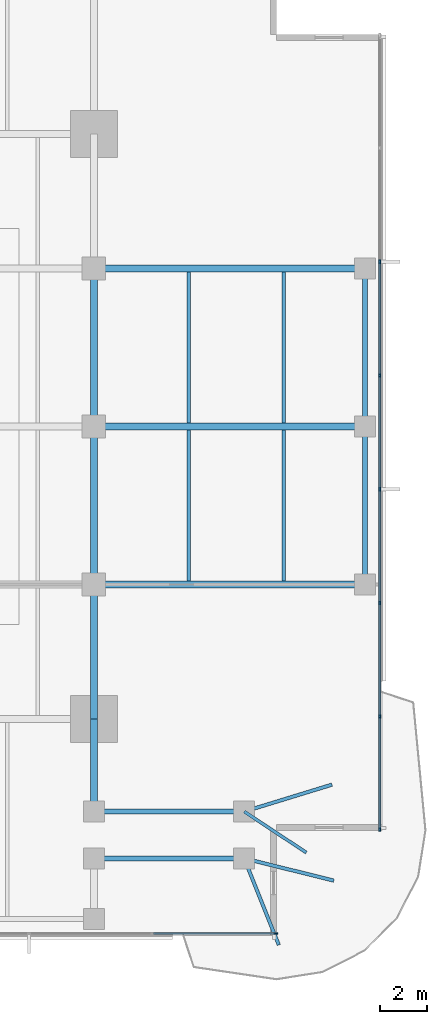
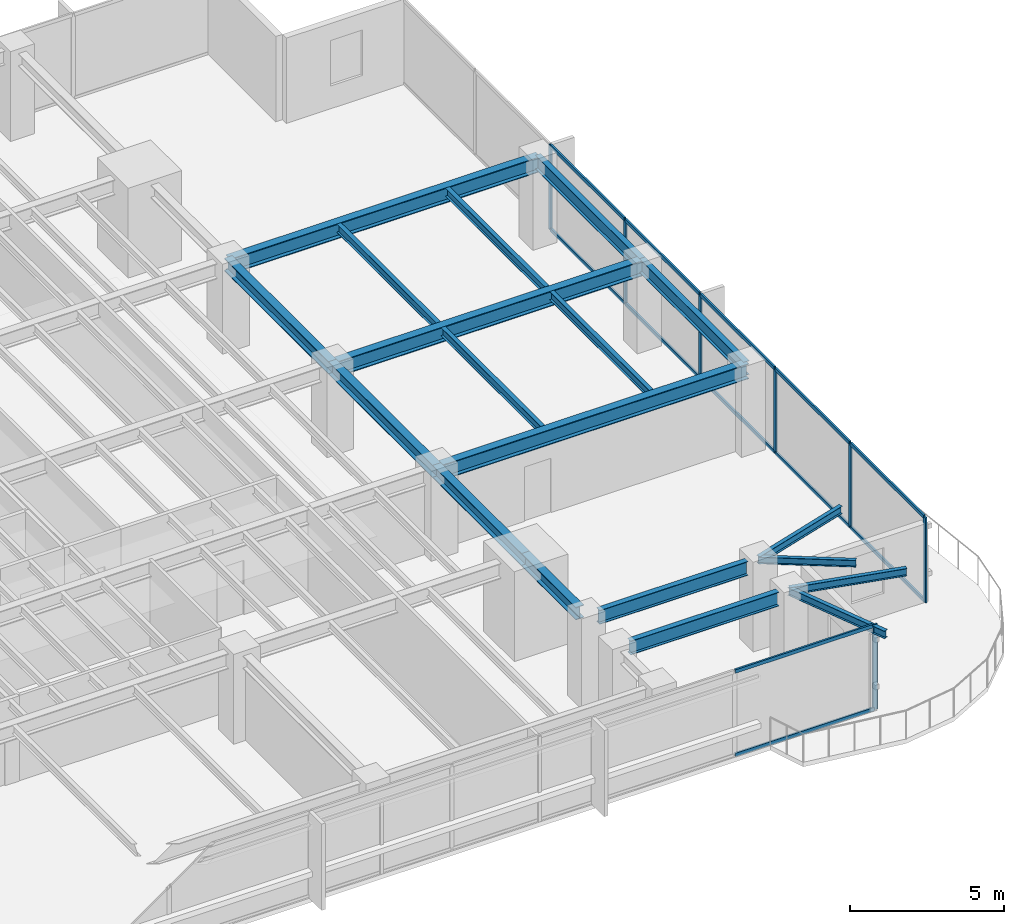
# One storey, part 4 of 14: 19 beams, 19 members, 2 elements without a shape of their own.
"""IFC4 building model written with IfcOpenShell, lengths in metres."""

from ifc_helpers import new_model, si_unit, direction, frame, origin, origin_2d, place, context, subcontext, project, spatial, rectangle, i_section, extrude, material, layer, layer_set, material_profile, profile_set, type_object, element, aggregate, save


model = new_model("IFC4")

# Units and contexts
model_context = context("Model", 3, precision=1e-05, world=origin(), true_north=direction((0.0, 1.0)))
body_context = subcontext(model_context, "Body", "Model", "MODEL_VIEW")
ifc_project = project(units=[si_unit("LENGTHUNIT", "METRE"), si_unit("AREAUNIT", "SQUARE_METRE"), si_unit("VOLUMEUNIT", "CUBIC_METRE"), si_unit("PLANEANGLEUNIT", "RADIAN"), si_unit("MASSUNIT", "GRAM", prefix="KILO")], contexts=[model_context])

# Site, building, storey
site_placement = place(None, origin())
site = spatial("IfcSite", under=ifc_project, at=site_placement, CompositionType="ELEMENT")
building_placement = place(site_placement, origin())
building = spatial("IfcBuilding", under=site, at=building_placement, Name="Kinhvarn Gate Tower", CompositionType="ELEMENT")
storey_placement = place(building_placement, frame((0.0, 0.0, 144.85009765625)))
storey = spatial("IfcBuildingStorey", under=building, at=storey_placement, Name="L38", CompositionType="ELEMENT", Elevation=144.85009765625)

# Curtain wall, member
ifc_material_1 = material(Name="Anodised aluminium AW-6063", Category="aluminium")
ifc_layer = layer(ifc_material_1, 0.179931640625)
ifc_layer_set = layer_set([ifc_layer], Name="Anodised aluminium AW-6063")
curtain_wall_type = type_object("IfcCurtainWallType", Name="CW-SYS-3", PredefinedType="NOTDEFINED", material=ifc_layer_set)
curtain_wall_1_placement = place(storey_placement, origin())
curtain_wall_1 = element("IfcCurtainWall", 1, at=curtain_wall_1_placement, inside=storey, type_object=curtain_wall_type, Name="Curtain Wall CW3 (L38)", PredefinedType="NOTDEFINED")
ifc_material_profile_1 = material_profile(ifc_material_1, rectangle(XDim=0.06494140625, YDim=0.159912109375, at=origin_2d()), Name="ALU 65x160")
ifc_profile_set_1 = profile_set([ifc_material_profile_1], Name="Anodised aluminium AW-6063")
member_type_1 = type_object("IfcMemberType", Name="CW-MUL-160", PredefinedType="MULLION", material=ifc_profile_set_1)
member_1_placement = place(storey_placement, frame((45.967529296875, 3.590087890625, 0.0), z_axis=(0.0, 0.0, 1.0), x_axis=(0.0, 1.0, 0.0)))
member_1 = element("IfcMember", 2, at=member_1_placement, type_object=member_type_1, Name="CW3 mullion 8", PredefinedType="MULLION", context=body_context, shape_type="SweptSolid", body=[
    extrude(rectangle(XDim=0.06494140625, YDim=0.159912109375, at=origin_2d()), origin(), (0.0, 0.0, 1.0), 3.369873046875),
])

# Curtain wall, members
curtain_wall_2_placement = place(storey_placement, origin())
curtain_wall_2 = element("IfcCurtainWall", 3, at=curtain_wall_2_placement, inside=storey, type_object=curtain_wall_type, Name="Curtain Wall CW3 (L38)", PredefinedType="NOTDEFINED")
member_2_placement = place(storey_placement, frame((50.409912109375, 8.032470703125, 0.0), z_axis=(0.0, 0.0, 1.0), x_axis=(-1.0, 0.0, 0.0)))
member_2 = element("IfcMember", 4, at=member_2_placement, type_object=member_type_1, Name="CW3 mullion 1", PredefinedType="MULLION", context=body_context, shape_type="SweptSolid", body=[
    extrude(rectangle(XDim=0.06494140625, YDim=0.159912109375, at=origin_2d()), origin(), (0.0, 0.0, 1.0), 3.369873046875),
])
member_3_placement = place(storey_placement, frame((50.409912109375, 12.857177734375, 0.0), z_axis=(0.0, 0.0, 1.0), x_axis=(-1.0, 0.0, 0.0)))
member_3 = element("IfcMember", 5, at=member_3_placement, type_object=member_type_1, Name="CW3 mullion 2", PredefinedType="MULLION", context=body_context, shape_type="SweptSolid", body=[
    extrude(rectangle(XDim=0.06494140625, YDim=0.159912109375, at=origin_2d()), origin(), (0.0, 0.0, 1.0), 3.369873046875),
])
member_4_placement = place(storey_placement, frame((50.409912109375, 17.71435546875, 0.0), z_axis=(0.0, 0.0, 1.0), x_axis=(-1.0, 0.0, 0.0)))
member_4 = element("IfcMember", 6, at=member_4_placement, type_object=member_type_1, Name="CW3 mullion 3", PredefinedType="MULLION", context=body_context, shape_type="SweptSolid", body=[
    extrude(rectangle(XDim=0.06494140625, YDim=0.159912109375, at=origin_2d()), origin(), (0.0, 0.0, 1.0), 3.369873046875),
])
member_5_placement = place(storey_placement, frame((50.409912109375, 22.571533203125, 0.0), z_axis=(0.0, 0.0, 1.0), x_axis=(-1.0, 0.0, 0.0)))
member_5 = element("IfcMember", 7, at=member_5_placement, type_object=member_type_1, Name="CW3 mullion 4", PredefinedType="MULLION", context=body_context, shape_type="SweptSolid", body=[
    extrude(rectangle(XDim=0.06494140625, YDim=0.159912109375, at=origin_2d()), origin(), (0.0, 0.0, 1.0), 3.369873046875),
])
member_6_placement = place(storey_placement, frame((50.409912109375, 27.428466796875, 0.0), z_axis=(0.0, 0.0, 1.0), x_axis=(-1.0, 0.0, 0.0)))
member_6 = element("IfcMember", 8, at=member_6_placement, type_object=member_type_1, Name="CW3 mullion 5", PredefinedType="MULLION", context=body_context, shape_type="SweptSolid", body=[
    extrude(rectangle(XDim=0.06494140625, YDim=0.159912109375, at=origin_2d()), origin(), (0.0, 0.0, 1.0), 3.369873046875),
])
member_7_placement = place(storey_placement, frame((50.409912109375, 32.28564453125, 0.0), z_axis=(0.0, 0.0, 1.0), x_axis=(-1.0, 0.0, 0.0)))
member_7 = element("IfcMember", 9, at=member_7_placement, type_object=member_type_1, Name="CW3 mullion 6", PredefinedType="MULLION", context=body_context, shape_type="SweptSolid", body=[
    extrude(rectangle(XDim=0.06494140625, YDim=0.159912109375, at=origin_2d()), origin(), (0.0, 0.0, 1.0), 3.369873046875),
])

# Member
ifc_material_profile_2 = material_profile(ifc_material_1, rectangle(XDim=0.070068359375, YDim=0.139892578125, at=origin_2d()), Name="ALU 70x140")
ifc_profile_set_2 = profile_set([ifc_material_profile_2], Name="Anodised aluminium AW-6063")
member_type_2 = type_object("IfcMemberType", Name="CW-TRN-140", PredefinedType="USERDEFINED", material=ifc_profile_set_2)
member_8_placement = place(storey_placement, frame((40.746826171875, 3.590087890625, 0.034912109375), z_axis=(1.0, 0.0, 0.0), x_axis=(0.0, 1.0, 0.0)))
member_8 = element("IfcMember", 10, at=member_8_placement, type_object=member_type_2, Name="CW3 transom 7.1", ObjectType="TRANSOM", PredefinedType="USERDEFINED", context=body_context, shape_type="SweptSolid", body=[
    extrude(rectangle(XDim=0.070068359375, YDim=0.139892578125, at=origin_2d()), origin(), (0.0, 0.0, 1.0), 5.188232421875),
])

member_9_placement = place(storey_placement, frame((40.746826171875, 3.590087890625, 3.3349609375), z_axis=(1.0, 0.0, 0.0), x_axis=(0.0, 1.0, 0.0)))
member_9 = element("IfcMember", 11, at=member_9_placement, type_object=member_type_2, Name="CW3 transom 7.2", ObjectType="TRANSOM", PredefinedType="USERDEFINED", context=body_context, shape_type="SweptSolid", body=[
    extrude(rectangle(XDim=0.070068359375, YDim=0.139892578125, at=origin_2d()), origin(), (0.0, 0.0, 1.0), 5.188232421875),
])

aggregate(curtain_wall_1, [member_1, member_8, member_9])

member_10_placement = place(storey_placement, frame((50.409912109375, 8.06494140625, 0.034912109375), z_axis=(0.0, 1.0, 0.0), x_axis=(-1.0, 0.0, 0.0)))
member_10 = element("IfcMember", 12, at=member_10_placement, type_object=member_type_2, Name="CW3 transom 1.1", ObjectType="TRANSOM", PredefinedType="USERDEFINED", context=body_context, shape_type="SweptSolid", body=[
    extrude(rectangle(XDim=0.070068359375, YDim=0.139892578125, at=origin_2d()), origin(), (0.0, 0.0, 1.0), 4.759765625),
])

member_11_placement = place(storey_placement, frame((50.409912109375, 8.06494140625, 3.3349609375), z_axis=(0.0, 1.0, 0.0), x_axis=(-1.0, 0.0, 0.0)))
member_11 = element("IfcMember", 13, at=member_11_placement, type_object=member_type_2, Name="CW3 transom 1.2", ObjectType="TRANSOM", PredefinedType="USERDEFINED", context=body_context, shape_type="SweptSolid", body=[
    extrude(rectangle(XDim=0.070068359375, YDim=0.139892578125, at=origin_2d()), origin(), (0.0, 0.0, 1.0), 4.759765625),
])

member_12_placement = place(storey_placement, frame((50.409912109375, 12.8896484375, 0.034912109375), z_axis=(0.0, 1.0, 0.0), x_axis=(-1.0, 0.0, 0.0)))
member_12 = element("IfcMember", 14, at=member_12_placement, type_object=member_type_2, Name="CW3 transom 2.1", ObjectType="TRANSOM", PredefinedType="USERDEFINED", context=body_context, shape_type="SweptSolid", body=[
    extrude(rectangle(XDim=0.070068359375, YDim=0.139892578125, at=origin_2d()), origin(), (0.0, 0.0, 1.0), 4.792236328125),
])

member_13_placement = place(storey_placement, frame((50.409912109375, 12.8896484375, 3.3349609375), z_axis=(0.0, 1.0, 0.0), x_axis=(-1.0, 0.0, 0.0)))
member_13 = element("IfcMember", 15, at=member_13_placement, type_object=member_type_2, Name="CW3 transom 2.2", ObjectType="TRANSOM", PredefinedType="USERDEFINED", context=body_context, shape_type="SweptSolid", body=[
    extrude(rectangle(XDim=0.070068359375, YDim=0.139892578125, at=origin_2d()), origin(), (0.0, 0.0, 1.0), 4.792236328125),
])

member_14_placement = place(storey_placement, frame((50.409912109375, 17.746826171875, 0.034912109375), z_axis=(0.0, 1.0, 0.0), x_axis=(-1.0, 0.0, 0.0)))
member_14 = element("IfcMember", 16, at=member_14_placement, type_object=member_type_2, Name="CW3 transom 3.1", ObjectType="TRANSOM", PredefinedType="USERDEFINED", context=body_context, shape_type="SweptSolid", body=[
    extrude(rectangle(XDim=0.070068359375, YDim=0.139892578125, at=origin_2d()), origin(), (0.0, 0.0, 1.0), 4.7919921875),
])

member_15_placement = place(storey_placement, frame((50.409912109375, 17.746826171875, 3.3349609375), z_axis=(0.0, 1.0, 0.0), x_axis=(-1.0, 0.0, 0.0)))
member_15 = element("IfcMember", 17, at=member_15_placement, type_object=member_type_2, Name="CW3 transom 3.2", ObjectType="TRANSOM", PredefinedType="USERDEFINED", context=body_context, shape_type="SweptSolid", body=[
    extrude(rectangle(XDim=0.070068359375, YDim=0.139892578125, at=origin_2d()), origin(), (0.0, 0.0, 1.0), 4.7919921875),
])

member_16_placement = place(storey_placement, frame((50.409912109375, 22.60400390625, 0.034912109375), z_axis=(0.0, 1.0, 0.0), x_axis=(-1.0, 0.0, 0.0)))
member_16 = element("IfcMember", 18, at=member_16_placement, type_object=member_type_2, Name="CW3 transom 4.1", ObjectType="TRANSOM", PredefinedType="USERDEFINED", context=body_context, shape_type="SweptSolid", body=[
    extrude(rectangle(XDim=0.070068359375, YDim=0.139892578125, at=origin_2d()), origin(), (0.0, 0.0, 1.0), 4.7919921875),
])

member_17_placement = place(storey_placement, frame((50.409912109375, 22.60400390625, 3.3349609375), z_axis=(0.0, 1.0, 0.0), x_axis=(-1.0, 0.0, 0.0)))
member_17 = element("IfcMember", 19, at=member_17_placement, type_object=member_type_2, Name="CW3 transom 4.2", ObjectType="TRANSOM", PredefinedType="USERDEFINED", context=body_context, shape_type="SweptSolid", body=[
    extrude(rectangle(XDim=0.070068359375, YDim=0.139892578125, at=origin_2d()), origin(), (0.0, 0.0, 1.0), 4.7919921875),
])

member_18_placement = place(storey_placement, frame((50.409912109375, 27.461181640625, 0.034912109375), z_axis=(0.0, 1.0, 0.0), x_axis=(-1.0, 0.0, 0.0)))
member_18 = element("IfcMember", 20, at=member_18_placement, type_object=member_type_2, Name="CW3 transom 5.1", ObjectType="TRANSOM", PredefinedType="USERDEFINED", context=body_context, shape_type="SweptSolid", body=[
    extrude(rectangle(XDim=0.070068359375, YDim=0.139892578125, at=origin_2d()), origin(), (0.0, 0.0, 1.0), 4.7919921875),
])

member_19_placement = place(storey_placement, frame((50.409912109375, 27.461181640625, 3.3349609375), z_axis=(0.0, 1.0, 0.0), x_axis=(-1.0, 0.0, 0.0)))
member_19 = element("IfcMember", 21, at=member_19_placement, type_object=member_type_2, Name="CW3 transom 5.2", ObjectType="TRANSOM", PredefinedType="USERDEFINED", context=body_context, shape_type="SweptSolid", body=[
    extrude(rectangle(XDim=0.070068359375, YDim=0.139892578125, at=origin_2d()), origin(), (0.0, 0.0, 1.0), 4.7919921875),
])

aggregate(curtain_wall_2, [member_2, member_3, member_4, member_5, member_6, member_7, member_10, member_11, member_12, member_13, member_14, member_15, member_16, member_17, member_18, member_19])

# Beams
ifc_material_2 = material(Name="Steel S355", Category="steel")
ifc_material_profile_3 = material_profile(ifc_material_2, i_section(OverallWidth=0.300048828125, OverallDepth=0.5, WebThickness=0.014404296875, FlangeThickness=0.028076171875, at=origin_2d()), Name="HEB 500")
ifc_profile_set_3 = profile_set([ifc_material_profile_3], Name="Steel S355")
beam_type_1 = type_object("IfcBeamType", Name="STL-HEB500", PredefinedType="BEAM", material=ifc_profile_set_3)
beam_1_placement = place(storey_placement, frame((38.199951171875, 9.235107421875, 3.119873046875), z_axis=(0.0, 1.0, 0.0), x_axis=(-1.0, 0.0, 0.0)))
element("IfcBeam", 22, at=beam_1_placement, inside=storey, type_object=beam_type_1, Name="Floor Beam PG-14 (L38 MCE-S-A2)", PredefinedType="BEAM", context=body_context, shape_type="SweptSolid", body=[
    extrude(i_section(OverallWidth=0.300048828125, OverallDepth=0.5, WebThickness=0.014404296875, FlangeThickness=0.028076171875, at=origin_2d()), origin(), (0.0, 0.0, 1.0), 3.514892578125),
])
beam_2_placement = place(storey_placement, frame((38.199951171875, 12.75, 3.119873046875), z_axis=(0.0, 1.0, 0.0), x_axis=(-1.0, 0.0, 0.0)))
element("IfcBeam", 23, at=beam_2_placement, inside=storey, type_object=beam_type_1, Name="Floor Beam PG-14 (L38 MG-E-12)", PredefinedType="BEAM", context=body_context, shape_type="SweptSolid", body=[
    extrude(i_section(OverallWidth=0.300048828125, OverallDepth=0.5, WebThickness=0.014404296875, FlangeThickness=0.028076171875, at=origin_2d()), origin(), (0.0, 0.0, 1.0), 5.75),
])
for number, where, z_axis, x_axis, name in (
    (24, (38.199951171875, 18.5, 3.119873046875), (0.0, 1.0, 0.0), (-1.0, 0.0, 0.0), "Floor Beam PG-14 (L38 MG-E-18)"),
    (25, (38.199951171875, 25.25, 3.119873046875), (0.0, 1.0, 0.0), (-1.0, 0.0, 0.0), "Floor Beam PG-14 (L38 MG-E-25)"),
):
    element("IfcBeam", number, at=place(storey_placement, frame(where, z_axis=z_axis, x_axis=x_axis)), inside=storey, type_object=beam_type_1, Name=name, PredefinedType="BEAM", context=body_context, shape_type="SweptSolid", body=[
        extrude(i_section(OverallWidth=0.300048828125, OverallDepth=0.5, WebThickness=0.014404296875, FlangeThickness=0.028076171875, at=origin_2d()), origin(), (0.0, 0.0, 1.0), 6.75),
    ])
ifc_material_profile_4 = material_profile(ifc_material_2, i_section(OverallWidth=0.300048828125, OverallDepth=0.60009765625, WebThickness=0.015380859375, FlangeThickness=0.030029296875, at=origin_2d()), Name="HEB 600")
ifc_profile_set_4 = profile_set([ifc_material_profile_4], Name="Steel S355")
beam_type_2 = type_object("IfcBeamType", Name="STL-HEB600", PredefinedType="BEAM", material=ifc_profile_set_4)
for number, where, z_axis, x_axis, name in (
    (26, (38.199951171875, 18.5, 3.06982421875), (1.0, 0.0, 0.0), (0.0, 1.0, 0.0), "Floor Beam PG-16 (L38 EW2-Y18)"),
    (27, (38.199951171875, 25.25, 3.06982421875), (1.0, 0.0, 0.0), (0.0, 1.0, 0.0), "Floor Beam PG-16 (L38 EW2-Y25)"),
    (28, (38.199951171875, 32.0, 3.06982421875), (1.0, 0.0, 0.0), (0.0, 1.0, 0.0), "Floor Beam PG-16 (L38 EW2-Y32)"),
):
    element("IfcBeam", number, at=place(storey_placement, frame(where, z_axis=z_axis, x_axis=x_axis)), inside=storey, type_object=beam_type_2, Name=name, PredefinedType="BEAM", context=body_context, shape_type="SweptSolid", body=[
        extrude(i_section(OverallWidth=0.300048828125, OverallDepth=0.60009765625, WebThickness=0.015380859375, FlangeThickness=0.030029296875, at=origin_2d()), origin(), (0.0, 0.0, 1.0), 11.580078125),
    ])
ifc_material_profile_5 = material_profile(ifc_material_2, i_section(OverallWidth=0.135009765625, OverallDepth=0.27001953125, WebThickness=0.006591796875, FlangeThickness=0.01025390625, at=origin_2d()), Name="IPE 270")
ifc_profile_set_5 = profile_set([ifc_material_profile_5], Name="Steel S355")
beam_type_3 = type_object("IfcBeamType", Name="STL-IPE270", PredefinedType="JOIST", material=ifc_profile_set_5)
beam_3_placement = place(storey_placement, frame((44.6201171875, 8.800048828125, 3.23486328125), z_axis=(0.834455271211, -0.5510756757, 0.0), x_axis=(0.5510756757, 0.834455271211, 0.0)))
element("IfcBeam", 29, at=beam_3_placement, inside=storey, type_object=beam_type_3, Name="Floor Joist SB-01 (L38 BAL-B3-L39)", PredefinedType="JOIST", context=body_context, shape_type="SweptSolid", body=[
    extrude(i_section(OverallWidth=0.135009765625, OverallDepth=0.27001953125, WebThickness=0.006591796875, FlangeThickness=0.01025390625, at=origin_2d()), origin(), (0.0, 0.0, 1.0), 3.175537109375),
])
ifc_material_profile_6 = material_profile(ifc_material_2, i_section(OverallWidth=0.14990234375, OverallDepth=0.300048828125, WebThickness=0.007080078125, FlangeThickness=0.0107421875, at=origin_2d()), Name="IPE 300")
ifc_profile_set_6 = profile_set([ifc_material_profile_6], Name="Steel S355")
beam_type_4 = type_object("IfcBeamType", Name="STL-IPE300", PredefinedType="JOIST", material=ifc_profile_set_6)
beam_4_placement = place(storey_placement, frame((44.6201171875, 6.800048828125, 3.219970703125), z_axis=(0.97058851083, -0.240744558911, 0.0), x_axis=(0.240744558911, 0.97058851083, 0.0)))
element("IfcBeam", 30, at=beam_4_placement, inside=storey, type_object=beam_type_4, Name="Floor Joist SB-02 (L38 BAL-B1-L39)", PredefinedType="JOIST", context=body_context, shape_type="SweptSolid", body=[
    extrude(i_section(OverallWidth=0.14990234375, OverallDepth=0.300048828125, WebThickness=0.007080078125, FlangeThickness=0.0107421875, at=origin_2d()), origin(), (0.0, 0.0, 1.0), 3.94580078125),
])
beam_5_placement = place(storey_placement, frame((44.6201171875, 6.800048828125, 3.219970703125), z_axis=(0.371390676354, -0.928476690885, 0.0), x_axis=(0.928476690885, 0.371390676354, 0.0)))
element("IfcBeam", 31, at=beam_5_placement, inside=storey, type_object=beam_type_4, Name="Floor Joist SB-02 (L38 BAL-B2-L39)", PredefinedType="JOIST", context=body_context, shape_type="SweptSolid", body=[
    extrude(i_section(OverallWidth=0.14990234375, OverallDepth=0.300048828125, WebThickness=0.007080078125, FlangeThickness=0.0107421875, at=origin_2d()), origin(), (0.0, 0.0, 1.0), 3.98486328125),
])
beam_6_placement = place(storey_placement, frame((44.6201171875, 8.800048828125, 3.219970703125), z_axis=(0.95606118681, 0.293167199862, 0.0), x_axis=(-0.293167199862, 0.95606118681, 0.0)))
element("IfcBeam", 32, at=beam_6_placement, inside=storey, type_object=beam_type_4, Name="Floor Joist SB-02 (L38 BAL-B5-L39)", PredefinedType="JOIST", context=body_context, shape_type="SweptSolid", body=[
    extrude(i_section(OverallWidth=0.14990234375, OverallDepth=0.300048828125, WebThickness=0.007080078125, FlangeThickness=0.0107421875, at=origin_2d()), origin(), (0.0, 0.0, 1.0), 3.92236328125),
])
ifc_material_profile_7 = material_profile(ifc_material_2, i_section(OverallWidth=0.159912109375, OverallDepth=0.330078125, WebThickness=0.007568359375, FlangeThickness=0.011474609375, at=origin_2d()), Name="IPE 330")
ifc_profile_set_7 = profile_set([ifc_material_profile_7], Name="Steel S355")
beam_type_5 = type_object("IfcBeamType", Name="STL-IPE330", PredefinedType="JOIST", material=ifc_profile_set_7)
for number, where, z_axis, x_axis, name in (
    (33, (42.25, 18.64990234375, 3.204833984375), (0.0, 1.0, 0.0), (-1.0, 0.0, 0.0), "Floor Joist SB-03 (L38 JC-X422-1)"),
    (34, (42.25, 25.39990234375, 3.204833984375), (0.0, 1.0, 0.0), (-1.0, 0.0, 0.0), "Floor Joist SB-03 (L38 JC-X422-2)"),
    (35, (46.31005859375, 18.64990234375, 3.204833984375), (0.0, 1.0, 0.0), (-1.0, 0.0, 0.0), "Floor Joist SB-03 (L38 JC-X463-1)"),
    (36, (46.31005859375, 25.39990234375, 3.204833984375), (0.0, 1.0, 0.0), (-1.0, 0.0, 0.0), "Floor Joist SB-03 (L38 JC-X463-2)"),
):
    element("IfcBeam", number, at=place(storey_placement, frame(where, z_axis=z_axis, x_axis=x_axis)), inside=storey, type_object=beam_type_5, Name=name, PredefinedType="JOIST", context=body_context, shape_type="SweptSolid", body=[
        extrude(i_section(OverallWidth=0.159912109375, OverallDepth=0.330078125, WebThickness=0.007568359375, FlangeThickness=0.011474609375, at=origin_2d()), origin(), (0.0, 0.0, 1.0), 6.4501953125),
    ])
ifc_material_profile_8 = material_profile(ifc_material_2, i_section(OverallWidth=0.2099609375, OverallDepth=0.550048828125, WebThickness=0.010986328125, FlangeThickness=0.01708984375, at=origin_2d()), Name="IPE 550")
ifc_profile_set_8 = profile_set([ifc_material_profile_8], Name="Steel S355")
beam_type_6 = type_object("IfcBeamType", Name="STL-IPE550", PredefinedType="SPANDREL", material=ifc_profile_set_8)
for number, where, z_axis, x_axis, name in (
    (37, (38.635009765625, 8.800048828125, 3.094970703125), (1.0, 0.0, 0.0), (0.0, 1.0, 0.0), "Floor Spandrel SB-08 (L38 SP-SE2)"),
    (38, (38.635009765625, 6.800048828125, 3.094970703125), (1.0, 0.0, 0.0), (0.0, 1.0, 0.0), "Floor Spandrel SB-08 (L38 SP-SE2-S)"),
):
    element("IfcBeam", number, at=place(storey_placement, frame(where, z_axis=z_axis, x_axis=x_axis)), inside=storey, type_object=beam_type_6, Name=name, PredefinedType="SPANDREL", context=body_context, shape_type="SweptSolid", body=[
        extrude(i_section(OverallWidth=0.2099609375, OverallDepth=0.550048828125, WebThickness=0.010986328125, FlangeThickness=0.01708984375, at=origin_2d()), origin(), (0.0, 0.0, 1.0), 5.550048828125),
    ])
for number, where, z_axis, x_axis, name in (
    (39, (49.780029296875, 18.5, 3.094970703125), (0.0, 1.0, 0.0), (-1.0, 0.0, 0.0), "Floor Spandrel SB-08 (L38 SP-E2)"),
    (40, (49.780029296875, 25.25, 3.094970703125), (0.0, 1.0, 0.0), (-1.0, 0.0, 0.0), "Floor Spandrel SB-08 (L38 SP-E3)"),
):
    element("IfcBeam", number, at=place(storey_placement, frame(where, z_axis=z_axis, x_axis=x_axis)), inside=storey, type_object=beam_type_6, Name=name, PredefinedType="SPANDREL", context=body_context, shape_type="SweptSolid", body=[
        extrude(i_section(OverallWidth=0.2099609375, OverallDepth=0.550048828125, WebThickness=0.010986328125, FlangeThickness=0.01708984375, at=origin_2d()), origin(), (0.0, 0.0, 1.0), 6.75),
    ])

save(model, "model.ifc")
